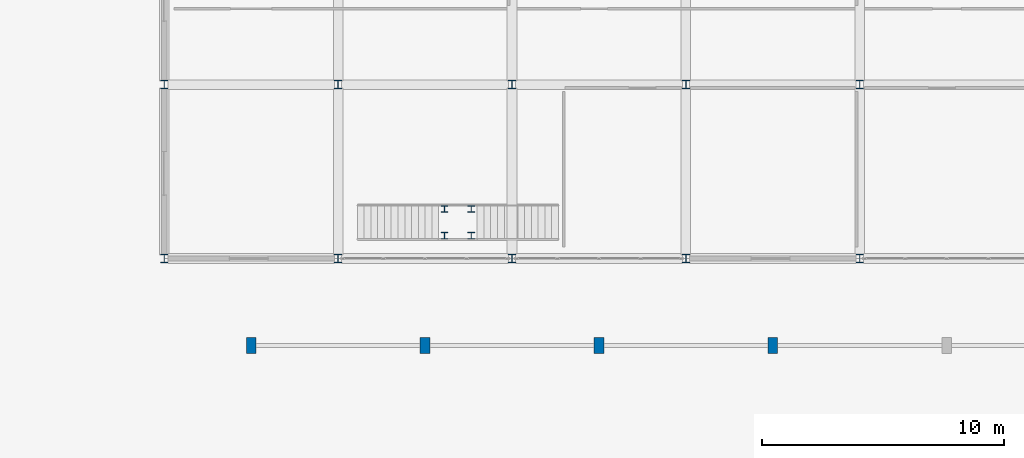
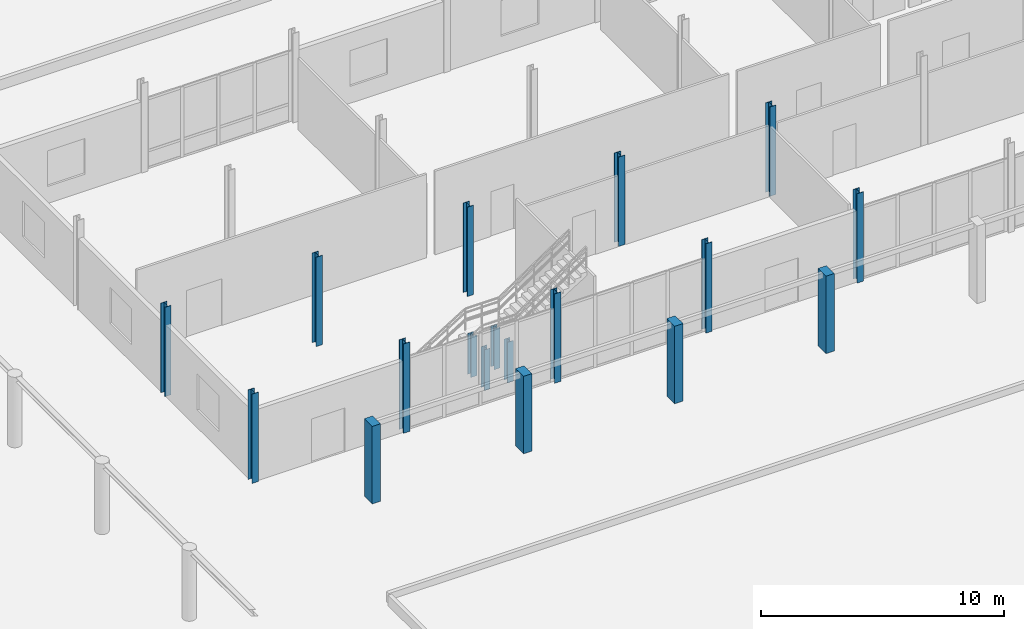
# One storey, part 15 of 139: 18 columns.
"""IFC4 building model written with IfcOpenShell, lengths in metres."""

from ifc_helpers import new_model, si_unit, direction, frame, origin, origin_2d, place, context, subcontext, project, spatial, rectangle, i_section, extrude, material, material_profile, profile_set, type_object, element, save


model = new_model("IFC4")

# Units and contexts
model_context = context("Model", 3, precision=1e-05, world=origin(), true_north=direction((0.0, 1.0)))
body_context = subcontext(model_context, "Body", "Model", "MODEL_VIEW")
ifc_project = project(units=[si_unit("LENGTHUNIT", "METRE"), si_unit("AREAUNIT", "SQUARE_METRE"), si_unit("VOLUMEUNIT", "CUBIC_METRE"), si_unit("PLANEANGLEUNIT", "RADIAN"), si_unit("MASSUNIT", "GRAM", prefix="KILO")], contexts=[model_context])

# Site, building, storey
site_placement = place(None, origin())
site = spatial("IfcSite", under=ifc_project, at=site_placement, CompositionType="ELEMENT")
building_placement = place(site_placement, origin())
building = spatial("IfcBuilding", under=site, at=building_placement, Name="Suanplinth Sawtooth Commons", CompositionType="ELEMENT")
storey_placement = place(building_placement, origin())
storey = spatial("IfcBuildingStorey", under=building, at=storey_placement, Name="L00", CompositionType="ELEMENT", Elevation=0.0)

# Columns
ifc_material_1 = material(Name="Steel S355JR", Category="steel")
ifc_material_profile_1 = material_profile(ifc_material_1, i_section(OverallWidth=0.300048828125, OverallDepth=0.360107421875, WebThickness=0.012451171875, FlangeThickness=0.0224609375, at=origin_2d()), Name="HEB 360")
ifc_profile_set_1 = profile_set([ifc_material_profile_1], Name="Steel S355JR")
column_type_1 = type_object("IfcColumnType", Name="C-10", PredefinedType="COLUMN", material=ifc_profile_set_1)
for number, where, z_axis, x_axis, name in (
    (1, (129.60009765625, 50.39990234375, 0.0), (0.0, 0.0, 1.0), (1.0, 0.0, 0.0), "Column L00 19/H"),
    (2, (129.60009765625, 57.60009765625, 0.0), (0.0, 0.0, 1.0), (1.0, 0.0, 0.0), "Column L00 19/J"),
    (3, (136.800048828125, 50.39990234375, 0.0), (0.0, 0.0, 1.0), (1.0, 0.0, 0.0), "Column L00 20/H"),
    (4, (136.800048828125, 57.60009765625, 0.0), (0.0, 0.0, 1.0), (1.0, 0.0, 0.0), "Column L00 20/J"),
    (5, (144.0, 50.39990234375, 0.0), (0.0, 0.0, 1.0), (1.0, 0.0, 0.0), "Column L00 21/H"),
    (6, (144.0, 57.60009765625, 0.0), (0.0, 0.0, 1.0), (1.0, 0.0, 0.0), "Column L00 21/J"),
    (7, (151.199951171875, 50.39990234375, 0.0), (0.0, 0.0, 1.0), (1.0, 0.0, 0.0), "Column L00 22/H"),
    (8, (151.199951171875, 57.60009765625, 0.0), (0.0, 0.0, 1.0), (1.0, 0.0, 0.0), "Column L00 22/J"),
    (9, (158.39990234375, 50.39990234375, 0.0), (0.0, 0.0, 1.0), (1.0, 0.0, 0.0), "Column L00 23/H"),
    (10, (158.39990234375, 57.60009765625, 0.0), (0.0, 0.0, 1.0), (1.0, 0.0, 0.0), "Column L00 23/J"),
):
    element("IfcColumn", number, at=place(storey_placement, frame(where, z_axis=z_axis, x_axis=x_axis)), inside=storey, type_object=column_type_1, Name=name, PredefinedType="COLUMN", context=body_context, shape_type="SweptSolid", body=[
        extrude(i_section(OverallWidth=0.300048828125, OverallDepth=0.360107421875, WebThickness=0.012451171875, FlangeThickness=0.0224609375, at=origin_2d()), origin(), (0.0, 0.0, 1.0), 4.5),
    ])
ifc_material_profile_2 = material_profile(ifc_material_1, i_section(OverallWidth=0.280029296875, OverallDepth=0.280029296875, WebThickness=0.010498046875, FlangeThickness=0.01806640625, at=origin_2d()), Name="HEB 280")
ifc_profile_set_2 = profile_set([ifc_material_profile_2], Name="Steel S355JR")
column_type_2 = type_object("IfcColumnType", Name="C-11", PredefinedType="COLUMN", material=ifc_profile_set_2)
for number, where, z_axis, x_axis, name in (
    (11, (141.2099609375, 51.35009765625, 0.0), (0.0, 0.0, 1.0), (1.0, 0.0, 0.0), "East Nursery Pavilion Feature Stair Landing Post 1"),
    (12, (142.31005859375, 51.35009765625, 0.0), (0.0, 0.0, 1.0), (1.0, 0.0, 0.0), "East Nursery Pavilion Feature Stair Landing Post 2"),
    (13, (141.2099609375, 52.449951171875, 0.0), (0.0, 0.0, 1.0), (1.0, 0.0, 0.0), "East Nursery Pavilion Feature Stair Landing Post 3"),
    (14, (142.31005859375, 52.449951171875, 0.0), (0.0, 0.0, 1.0), (1.0, 0.0, 0.0), "East Nursery Pavilion Feature Stair Landing Post 4"),
):
    element("IfcColumn", number, at=place(storey_placement, frame(where, z_axis=z_axis, x_axis=x_axis)), inside=storey, type_object=column_type_2, Name=name, PredefinedType="COLUMN", context=body_context, shape_type="SweptSolid", body=[
        extrude(i_section(OverallWidth=0.280029296875, OverallDepth=0.280029296875, WebThickness=0.010498046875, FlangeThickness=0.01806640625, at=origin_2d()), origin(), (0.0, 0.0, 1.0), 2.050048828125),
    ])
ifc_material_2 = material(Name="Precast concrete C40/50", Category="concrete")
ifc_material_profile_3 = material_profile(ifc_material_2, rectangle(XDim=0.39990234375, YDim=0.64990234375, at=origin_2d()), Name="PC-PIL 400x650")
ifc_profile_set_3 = profile_set([ifc_material_profile_3], Name="Precast concrete C40/50")
column_type_3 = type_object("IfcColumnType", Name="C-14", PredefinedType="PILASTER", material=ifc_profile_set_3)
for number, where, z_axis, x_axis, name in (
    (15, (133.199951171875, 46.800048828125, 0.0), (0.0, 0.0, 1.0), (1.0, 0.0, 0.0), "Veranda Colonnade Pilaster L00 P7"),
    (16, (140.39990234375, 46.800048828125, 0.0), (0.0, 0.0, 1.0), (1.0, 0.0, 0.0), "Veranda Colonnade Pilaster L00 P8"),
    (17, (147.60009765625, 46.800048828125, 0.0), (0.0, 0.0, 1.0), (1.0, 0.0, 0.0), "Veranda Colonnade Pilaster L00 P9"),
    (18, (154.800048828125, 46.800048828125, 0.0), (0.0, 0.0, 1.0), (1.0, 0.0, 0.0), "Veranda Colonnade Pilaster L00 P10"),
):
    element("IfcColumn", number, at=place(storey_placement, frame(where, z_axis=z_axis, x_axis=x_axis)), inside=storey, type_object=column_type_3, Name=name, PredefinedType="PILASTER", context=body_context, shape_type="SweptSolid", body=[
        extrude(rectangle(XDim=0.39990234375, YDim=0.64990234375, at=origin_2d()), origin(), (0.0, 0.0, 1.0), 3.89990234375),
    ])

save(model, "model.ifc")
